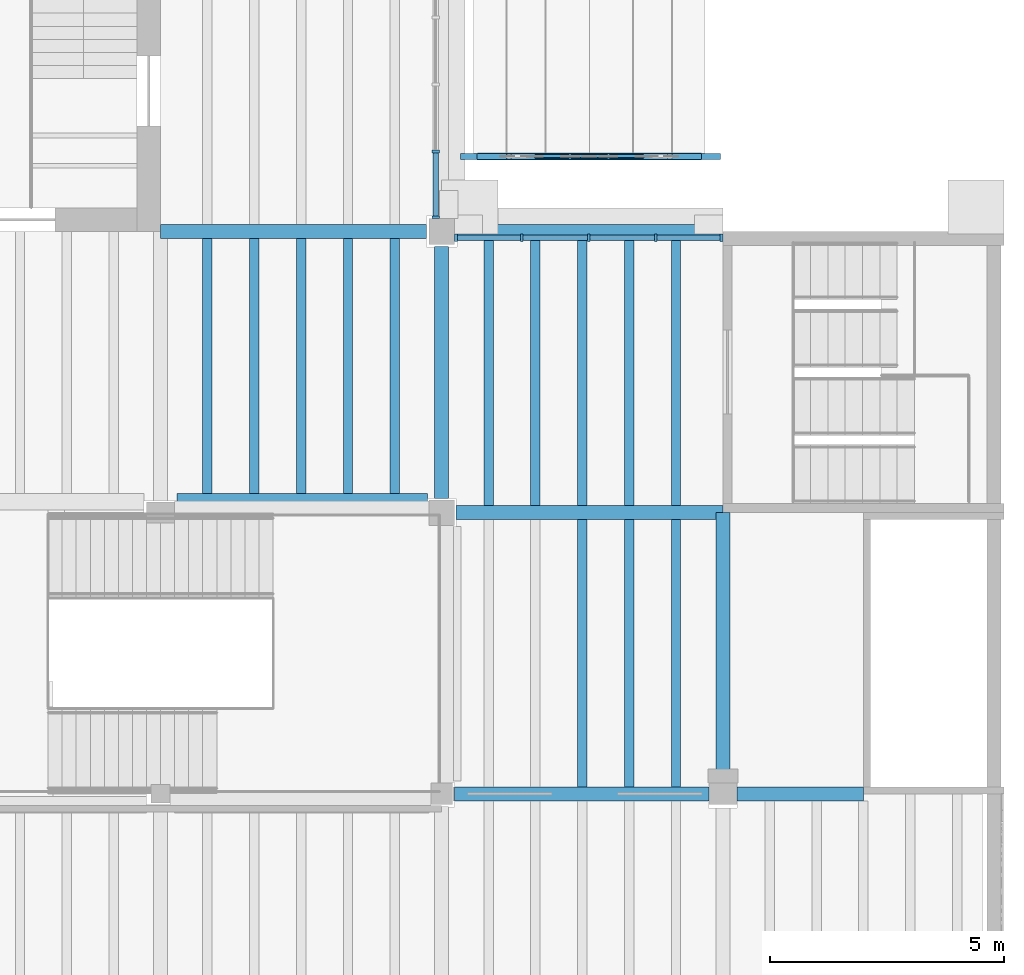
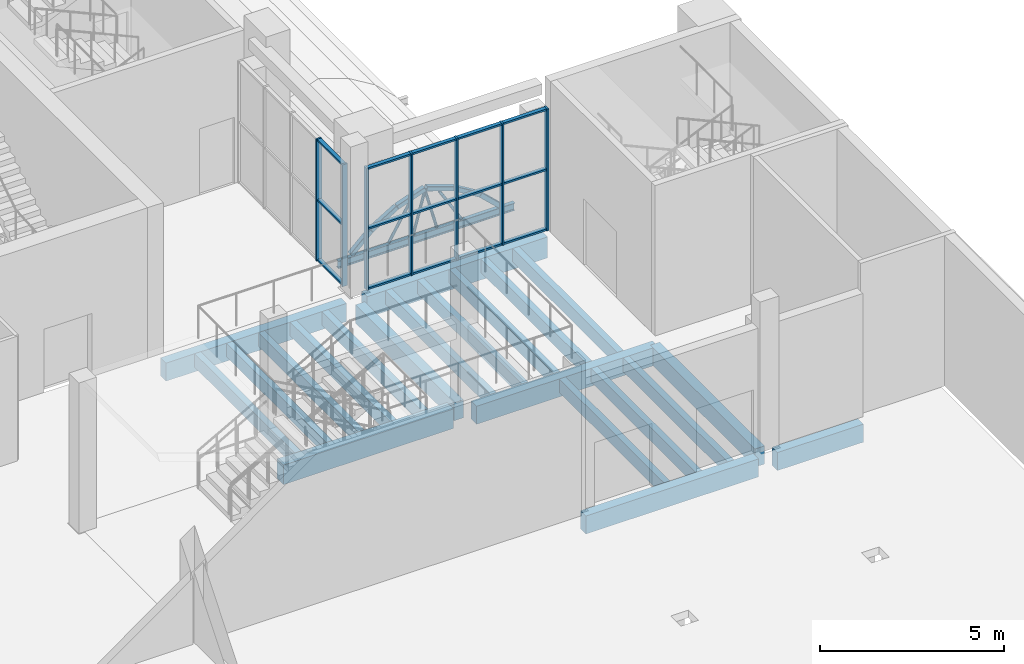
# One storey, part 6 of 80: 28 beams, 26 members, 2 elements without a shape of their own.
"""IFC4 building model written with IfcOpenShell, lengths in metres."""

from ifc_helpers import new_model, si_unit, direction, frame, origin, origin_2d, place, context, subcontext, project, spatial, rectangle, hollow_rectangle, hollow_circle, i_section, extrude, material, material_profile, profile_set, type_object, element, aggregate, save


model = new_model("IFC4")

# Units and contexts
model_context = context("Model", 3, precision=1e-05, world=origin(), true_north=direction((0.0, 1.0)))
body_context = subcontext(model_context, "Body", "Model", "MODEL_VIEW")
ifc_project = project(units=[si_unit("LENGTHUNIT", "METRE"), si_unit("AREAUNIT", "SQUARE_METRE"), si_unit("VOLUMEUNIT", "CUBIC_METRE"), si_unit("PLANEANGLEUNIT", "RADIAN"), si_unit("MASSUNIT", "GRAM", prefix="KILO")], contexts=[model_context])

# Site, building, storey
site_placement = place(None, origin())
site = spatial("IfcSite", under=ifc_project, at=site_placement, CompositionType="ELEMENT")
building_placement = place(site_placement, origin())
building = spatial("IfcBuilding", under=site, at=building_placement, Name="Saffron Lane Theatres", CompositionType="ELEMENT")
storey_placement = place(building_placement, frame((0.0, 0.0, 7.0)))
storey = spatial("IfcBuildingStorey", under=building, at=storey_placement, Name="L01", CompositionType="ELEMENT", Elevation=7.0)

# Curtain wall, members
ifc_material_1 = material(Name="Aluminium", Category="aluminium")
curtain_wall_type_1 = type_object("IfcCurtainWallType", Name="EX-CURTAIN WALL 5720x4050x160", PredefinedType="NOTDEFINED", material=ifc_material_1)
curtain_wall_1_placement = place(storey_placement, origin())
curtain_wall_1 = element("IfcCurtainWall", 1, at=curtain_wall_1_placement, inside=storey, type_object=curtain_wall_type_1, Name="Curtain wall L01 15", PredefinedType="NOTDEFINED")
ifc_material_2 = material(Name="Aluminium", Category="aluminium")
ifc_material_profile_1 = material_profile(ifc_material_2, rectangle(XDim=0.06005859375, YDim=0.159912109375, at=origin_2d()))
ifc_profile_set_1 = profile_set([ifc_material_profile_1], Name="Aluminium")
member_type_1 = type_object("IfcMemberType", Name="EX-CW MULLION 60x160", PredefinedType="MULLION", material=ifc_profile_set_1)
member_1_placement = place(storey_placement, frame((53.8701171875, 31.706298828125, 0.0), z_axis=(0.0, 0.0, 1.0), x_axis=(0.0, -1.0, 0.0)))
member_1 = element("IfcMember", 2, at=member_1_placement, type_object=member_type_1, Name="CW-01-15 mullion 4", PredefinedType="MULLION", context=body_context, shape_type="SweptSolid", body=[
    extrude(rectangle(XDim=0.06005859375, YDim=0.159912109375, at=origin_2d()), origin(), (0.0, 0.0, 1.0), 4.050048828125),
])
member_2_placement = place(storey_placement, frame((53.8701171875, 30.304931640625, 0.0), z_axis=(0.0, 0.0, 1.0), x_axis=(0.0, -1.0, 0.0)))
member_2 = element("IfcMember", 3, at=member_2_placement, type_object=member_type_1, Name="CW-01-15 mullion 5", PredefinedType="MULLION", context=body_context, shape_type="SweptSolid", body=[
    extrude(rectangle(XDim=0.06005859375, YDim=0.159912109375, at=origin_2d()), origin(), (0.0, 0.0, 1.0), 4.050048828125),
])

ifc_material_3 = material(Name="Aluminium", Category="aluminium")
curtain_wall_type_2 = type_object("IfcCurtainWallType", Name="EX-CURTAIN WALL 5730x4050x160", PredefinedType="NOTDEFINED", material=ifc_material_3)
curtain_wall_2_placement = place(storey_placement, origin())
curtain_wall_2 = element("IfcCurtainWall", 4, at=curtain_wall_2_placement, inside=storey, type_object=curtain_wall_type_2, Name="Curtain wall L01 16", PredefinedType="NOTDEFINED")
member_3_placement = place(storey_placement, frame((54.304931640625, 29.8701171875, 0.0), z_axis=(0.0, 0.0, 1.0), x_axis=(1.0, 0.0, 0.0)))
member_3 = element("IfcMember", 5, at=member_3_placement, type_object=member_type_1, Name="CW-01-16 mullion 1", PredefinedType="MULLION", context=body_context, shape_type="SweptSolid", body=[
    extrude(rectangle(XDim=0.06005859375, YDim=0.159912109375, at=origin_2d()), origin(), (0.0, 0.0, 1.0), 4.050048828125),
])
member_4_placement = place(storey_placement, frame((55.706298828125, 29.8701171875, 0.0), z_axis=(0.0, 0.0, 1.0), x_axis=(1.0, 0.0, 0.0)))
member_4 = element("IfcMember", 6, at=member_4_placement, type_object=member_type_1, Name="CW-01-16 mullion 2", PredefinedType="MULLION", context=body_context, shape_type="SweptSolid", body=[
    extrude(rectangle(XDim=0.06005859375, YDim=0.159912109375, at=origin_2d()), origin(), (0.0, 0.0, 1.0), 4.050048828125),
])
member_5_placement = place(storey_placement, frame((57.137451171875, 29.8701171875, 0.0), z_axis=(0.0, 0.0, 1.0), x_axis=(1.0, 0.0, 0.0)))
member_5 = element("IfcMember", 7, at=member_5_placement, type_object=member_type_1, Name="CW-01-16 mullion 3", PredefinedType="MULLION", context=body_context, shape_type="SweptSolid", body=[
    extrude(rectangle(XDim=0.06005859375, YDim=0.159912109375, at=origin_2d()), origin(), (0.0, 0.0, 1.0), 4.050048828125),
])
member_6_placement = place(storey_placement, frame((58.56884765625, 29.8701171875, 0.0), z_axis=(0.0, 0.0, 1.0), x_axis=(1.0, 0.0, 0.0)))
member_6 = element("IfcMember", 8, at=member_6_placement, type_object=member_type_1, Name="CW-01-16 mullion 4", PredefinedType="MULLION", context=body_context, shape_type="SweptSolid", body=[
    extrude(rectangle(XDim=0.06005859375, YDim=0.159912109375, at=origin_2d()), origin(), (0.0, 0.0, 1.0), 4.050048828125),
])
member_7_placement = place(storey_placement, frame((59.969970703125, 29.8701171875, 0.0), z_axis=(0.0, 0.0, 1.0), x_axis=(1.0, 0.0, 0.0)))
member_7 = element("IfcMember", 9, at=member_7_placement, type_object=member_type_1, Name="CW-01-16 mullion 5", PredefinedType="MULLION", context=body_context, shape_type="SweptSolid", body=[
    extrude(rectangle(XDim=0.06005859375, YDim=0.159912109375, at=origin_2d()), origin(), (0.0, 0.0, 1.0), 4.050048828125),
])

# Member
ifc_material_4 = material(Name="Aluminium", Category="aluminium")
ifc_material_profile_2 = material_profile(ifc_material_4, rectangle(XDim=0.1201171875, YDim=0.06005859375, at=origin_2d()))
ifc_profile_set_2 = profile_set([ifc_material_profile_2], Name="Aluminium")
member_type_2 = type_object("IfcMemberType", Name="EX-CW TRANSOM 120x60", PredefinedType="USERDEFINED", material=ifc_profile_set_2)
member_8_placement = place(storey_placement, frame((53.8701171875, 31.67626953125, 0.030029296875), z_axis=(0.0, -1.0, 0.0), x_axis=(1.0, 0.0, 0.0)))
member_8 = element("IfcMember", 10, at=member_8_placement, type_object=member_type_2, Name="CW-01-15 transom 4.1", ObjectType="TRANSOM", PredefinedType="USERDEFINED", context=body_context, shape_type="SweptSolid", body=[
    extrude(rectangle(XDim=0.1201171875, YDim=0.06005859375, at=origin_2d()), origin(), (0.0, 0.0, 1.0), 1.34130859375),
])

member_9_placement = place(storey_placement, frame((53.8701171875, 31.67626953125, 2.02490234375), z_axis=(0.0, -1.0, 0.0), x_axis=(1.0, 0.0, 0.0)))
member_9 = element("IfcMember", 11, at=member_9_placement, type_object=member_type_2, Name="CW-01-15 transom 4.2", ObjectType="TRANSOM", PredefinedType="USERDEFINED", context=body_context, shape_type="SweptSolid", body=[
    extrude(rectangle(XDim=0.1201171875, YDim=0.06005859375, at=origin_2d()), origin(), (0.0, 0.0, 1.0), 1.34130859375),
])

member_10_placement = place(storey_placement, frame((53.8701171875, 31.67626953125, 4.02001953125), z_axis=(0.0, -1.0, 0.0), x_axis=(1.0, 0.0, 0.0)))
member_10 = element("IfcMember", 12, at=member_10_placement, type_object=member_type_2, Name="CW-01-15 transom 4.3", ObjectType="TRANSOM", PredefinedType="USERDEFINED", context=body_context, shape_type="SweptSolid", body=[
    extrude(rectangle(XDim=0.1201171875, YDim=0.06005859375, at=origin_2d()), origin(), (0.0, 0.0, 1.0), 1.34130859375),
])

aggregate(curtain_wall_1, [member_1, member_2, member_8, member_9, member_10])

member_11_placement = place(storey_placement, frame((54.3349609375, 29.8701171875, 0.030029296875), z_axis=(1.0, 0.0, 0.0), x_axis=(0.0, 1.0, 0.0)))
member_11 = element("IfcMember", 13, at=member_11_placement, type_object=member_type_2, Name="CW-01-16 transom 1.1", ObjectType="TRANSOM", PredefinedType="USERDEFINED", context=body_context, shape_type="SweptSolid", body=[
    extrude(rectangle(XDim=0.1201171875, YDim=0.06005859375, at=origin_2d()), origin(), (0.0, 0.0, 1.0), 1.34130859375),
])

member_12_placement = place(storey_placement, frame((54.3349609375, 29.8701171875, 2.02490234375), z_axis=(1.0, 0.0, 0.0), x_axis=(0.0, 1.0, 0.0)))
member_12 = element("IfcMember", 14, at=member_12_placement, type_object=member_type_2, Name="CW-01-16 transom 1.2", ObjectType="TRANSOM", PredefinedType="USERDEFINED", context=body_context, shape_type="SweptSolid", body=[
    extrude(rectangle(XDim=0.1201171875, YDim=0.06005859375, at=origin_2d()), origin(), (0.0, 0.0, 1.0), 1.34130859375),
])

member_13_placement = place(storey_placement, frame((54.3349609375, 29.8701171875, 4.02001953125), z_axis=(1.0, 0.0, 0.0), x_axis=(0.0, 1.0, 0.0)))
member_13 = element("IfcMember", 15, at=member_13_placement, type_object=member_type_2, Name="CW-01-16 transom 1.3", ObjectType="TRANSOM", PredefinedType="USERDEFINED", context=body_context, shape_type="SweptSolid", body=[
    extrude(rectangle(XDim=0.1201171875, YDim=0.06005859375, at=origin_2d()), origin(), (0.0, 0.0, 1.0), 1.34130859375),
])

member_14_placement = place(storey_placement, frame((55.736083984375, 29.8701171875, 0.030029296875), z_axis=(1.0, 0.0, 0.0), x_axis=(0.0, 1.0, 0.0)))
member_14 = element("IfcMember", 16, at=member_14_placement, type_object=member_type_2, Name="CW-01-16 transom 2.1", ObjectType="TRANSOM", PredefinedType="USERDEFINED", context=body_context, shape_type="SweptSolid", body=[
    extrude(rectangle(XDim=0.1201171875, YDim=0.06005859375, at=origin_2d()), origin(), (0.0, 0.0, 1.0), 1.371337890625),
])

member_15_placement = place(storey_placement, frame((55.736083984375, 29.8701171875, 2.02490234375), z_axis=(1.0, 0.0, 0.0), x_axis=(0.0, 1.0, 0.0)))
member_15 = element("IfcMember", 17, at=member_15_placement, type_object=member_type_2, Name="CW-01-16 transom 2.2", ObjectType="TRANSOM", PredefinedType="USERDEFINED", context=body_context, shape_type="SweptSolid", body=[
    extrude(rectangle(XDim=0.1201171875, YDim=0.06005859375, at=origin_2d()), origin(), (0.0, 0.0, 1.0), 1.371337890625),
])

member_16_placement = place(storey_placement, frame((55.736083984375, 29.8701171875, 4.02001953125), z_axis=(1.0, 0.0, 0.0), x_axis=(0.0, 1.0, 0.0)))
member_16 = element("IfcMember", 18, at=member_16_placement, type_object=member_type_2, Name="CW-01-16 transom 2.3", ObjectType="TRANSOM", PredefinedType="USERDEFINED", context=body_context, shape_type="SweptSolid", body=[
    extrude(rectangle(XDim=0.1201171875, YDim=0.06005859375, at=origin_2d()), origin(), (0.0, 0.0, 1.0), 1.371337890625),
])

member_17_placement = place(storey_placement, frame((57.16748046875, 29.8701171875, 0.030029296875), z_axis=(1.0, 0.0, 0.0), x_axis=(0.0, 1.0, 0.0)))
member_17 = element("IfcMember", 19, at=member_17_placement, type_object=member_type_2, Name="CW-01-16 transom 3.1", ObjectType="TRANSOM", PredefinedType="USERDEFINED", context=body_context, shape_type="SweptSolid", body=[
    extrude(rectangle(XDim=0.1201171875, YDim=0.06005859375, at=origin_2d()), origin(), (0.0, 0.0, 1.0), 1.371337890625),
])

member_18_placement = place(storey_placement, frame((57.16748046875, 29.8701171875, 2.02490234375), z_axis=(1.0, 0.0, 0.0), x_axis=(0.0, 1.0, 0.0)))
member_18 = element("IfcMember", 20, at=member_18_placement, type_object=member_type_2, Name="CW-01-16 transom 3.2", ObjectType="TRANSOM", PredefinedType="USERDEFINED", context=body_context, shape_type="SweptSolid", body=[
    extrude(rectangle(XDim=0.1201171875, YDim=0.06005859375, at=origin_2d()), origin(), (0.0, 0.0, 1.0), 1.371337890625),
])

member_19_placement = place(storey_placement, frame((57.16748046875, 29.8701171875, 4.02001953125), z_axis=(1.0, 0.0, 0.0), x_axis=(0.0, 1.0, 0.0)))
member_19 = element("IfcMember", 21, at=member_19_placement, type_object=member_type_2, Name="CW-01-16 transom 3.3", ObjectType="TRANSOM", PredefinedType="USERDEFINED", context=body_context, shape_type="SweptSolid", body=[
    extrude(rectangle(XDim=0.1201171875, YDim=0.06005859375, at=origin_2d()), origin(), (0.0, 0.0, 1.0), 1.371337890625),
])

member_20_placement = place(storey_placement, frame((58.5986328125, 29.8701171875, 0.030029296875), z_axis=(1.0, 0.0, 0.0), x_axis=(0.0, 1.0, 0.0)))
member_20 = element("IfcMember", 22, at=member_20_placement, type_object=member_type_2, Name="CW-01-16 transom 4.1", ObjectType="TRANSOM", PredefinedType="USERDEFINED", context=body_context, shape_type="SweptSolid", body=[
    extrude(rectangle(XDim=0.1201171875, YDim=0.06005859375, at=origin_2d()), origin(), (0.0, 0.0, 1.0), 1.34130859375),
])

member_21_placement = place(storey_placement, frame((58.5986328125, 29.8701171875, 2.02490234375), z_axis=(1.0, 0.0, 0.0), x_axis=(0.0, 1.0, 0.0)))
member_21 = element("IfcMember", 23, at=member_21_placement, type_object=member_type_2, Name="CW-01-16 transom 4.2", ObjectType="TRANSOM", PredefinedType="USERDEFINED", context=body_context, shape_type="SweptSolid", body=[
    extrude(rectangle(XDim=0.1201171875, YDim=0.06005859375, at=origin_2d()), origin(), (0.0, 0.0, 1.0), 1.34130859375),
])

member_22_placement = place(storey_placement, frame((58.5986328125, 29.8701171875, 4.02001953125), z_axis=(1.0, 0.0, 0.0), x_axis=(0.0, 1.0, 0.0)))
member_22 = element("IfcMember", 24, at=member_22_placement, type_object=member_type_2, Name="CW-01-16 transom 4.3", ObjectType="TRANSOM", PredefinedType="USERDEFINED", context=body_context, shape_type="SweptSolid", body=[
    extrude(rectangle(XDim=0.1201171875, YDim=0.06005859375, at=origin_2d()), origin(), (0.0, 0.0, 1.0), 1.34130859375),
])

aggregate(curtain_wall_2, [member_3, member_4, member_5, member_6, member_7, member_11, member_12, member_13, member_14, member_15, member_16, member_17, member_18, member_19, member_20, member_21, member_22])

# Beams
ifc_material_5 = material(Name="Concrete N40 (40 MPa)", Category="concrete")
ifc_material_profile_3 = material_profile(ifc_material_5, rectangle(XDim=0.300048828125, YDim=0.60009765625, at=origin_2d()))
ifc_profile_set_3 = profile_set([ifc_material_profile_3], Name="Concrete N40 (40 MPa)")
beam_type_1 = type_object("IfcBeamType", Name="RC-BEAM 300x600", PredefinedType="BEAM", material=ifc_profile_set_3)
beam_1_placement = place(storey_placement, frame((54.27490234375, 18.0, -0.550048828125), z_axis=(1.0, 0.0, 0.0), x_axis=(0.0, 1.0, 0.0)))
element("IfcBeam", 25, at=beam_1_placement, inside=storey, type_object=beam_type_1, Name="beam-L01-x180-543", PredefinedType="BEAM", context=body_context, shape_type="SweptSolid", body=[
    extrude(rectangle(XDim=0.300048828125, YDim=0.60009765625, at=origin_2d()), origin(), (0.0, 0.0, 1.0), 5.425048828125),
])
beam_2_placement = place(storey_placement, frame((60.300048828125, 18.0, -0.550048828125), z_axis=(1.0, 0.0, 0.0), x_axis=(0.0, 1.0, 0.0)))
element("IfcBeam", 26, at=beam_2_placement, inside=storey, type_object=beam_type_1, Name="beam-L01-x180-603", PredefinedType="BEAM", context=body_context, shape_type="SweptSolid", body=[
    extrude(rectangle(XDim=0.300048828125, YDim=0.60009765625, at=origin_2d()), origin(), (0.0, 0.0, 1.0), 2.699951171875),
])
beam_3_placement = place(storey_placement, frame((54.300048828125, 24.0, -0.550048828125), z_axis=(1.0, 0.0, 0.0), x_axis=(0.0, 1.0, 0.0)))
element("IfcBeam", 27, at=beam_3_placement, inside=storey, type_object=beam_type_1, Name="beam-L01-x240-543", PredefinedType="BEAM", context=body_context, shape_type="SweptSolid", body=[
    extrude(rectangle(XDim=0.300048828125, YDim=0.60009765625, at=origin_2d()), origin(), (0.0, 0.0, 1.0), 5.699951171875),
])
beam_4_placement = place(storey_placement, frame((48.0, 30.0, -0.550048828125), z_axis=(1.0, 0.0, 0.0), x_axis=(0.0, 1.0, 0.0)))
element("IfcBeam", 28, at=beam_4_placement, inside=storey, type_object=beam_type_1, Name="beam-L01-x300-480", PredefinedType="BEAM", context=body_context, shape_type="SweptSolid", body=[
    extrude(rectangle(XDim=0.300048828125, YDim=0.60009765625, at=origin_2d()), origin(), (0.0, 0.0, 1.0), 5.675048828125),
])
beam_5_placement = place(storey_placement, frame((54.0, 24.300048828125, -0.550048828125), z_axis=(0.0, 1.0, 0.0), x_axis=(-1.0, 0.0, 0.0)))
element("IfcBeam", 29, at=beam_5_placement, inside=storey, type_object=beam_type_1, Name="beam-L01-y540-243", PredefinedType="BEAM", context=body_context, shape_type="SweptSolid", body=[
    extrude(rectangle(XDim=0.300048828125, YDim=0.60009765625, at=origin_2d()), origin(), (0.0, 0.0, 1.0), 5.375),
])
beam_6_placement = place(storey_placement, frame((60.0, 18.300048828125, -0.550048828125), z_axis=(0.0, 1.0, 0.0), x_axis=(-1.0, 0.0, 0.0)))
element("IfcBeam", 30, at=beam_6_placement, inside=storey, type_object=beam_type_1, Name="beam-L01-y600-183", PredefinedType="BEAM", context=body_context, shape_type="SweptSolid", body=[
    extrude(rectangle(XDim=0.300048828125, YDim=0.60009765625, at=origin_2d()), origin(), (0.0, 0.0, 1.0), 5.699951171875),
])
ifc_material_6 = material(Name="Concrete N40 (40 MPa)", Category="concrete")
ifc_material_profile_4 = material_profile(ifc_material_6, rectangle(XDim=0.300048828125, YDim=0.699951171875, at=origin_2d()))
ifc_profile_set_4 = profile_set([ifc_material_profile_4], Name="Concrete N40 (40 MPa)")
beam_type_2 = type_object("IfcBeamType", Name="RC-BEAM 300x700", PredefinedType="BEAM", material=ifc_profile_set_4)
beam_7_placement = place(storey_placement, frame((54.324951171875, 30.0, -0.60009765625), z_axis=(1.0, 0.0, 0.0), x_axis=(0.0, 1.0, 0.0)))
element("IfcBeam", 31, at=beam_7_placement, inside=storey, type_object=beam_type_2, Name="beam-L01-x300-543", PredefinedType="BEAM", context=body_context, shape_type="SweptSolid", body=[
    extrude(rectangle(XDim=0.300048828125, YDim=0.699951171875, at=origin_2d()), origin(), (0.0, 0.0, 1.0), 5.675048828125),
])
ifc_material_7 = material(Name="Concrete N40 (40 MPa)", Category="concrete")
ifc_material_profile_5 = material_profile(ifc_material_7, rectangle(XDim=0.35009765625, YDim=0.64990234375, at=origin_2d()))
ifc_profile_set_5 = profile_set([ifc_material_profile_5], Name="Concrete N40 (40 MPa)")
beam_type_3 = type_object("IfcBeamType", Name="RC-BEAM 350x650", PredefinedType="BEAM", material=ifc_profile_set_5)
beam_8_placement = place(storey_placement, frame((48.35009765625, 24.235107421875, -0.574951171875), z_axis=(1.0, 0.0, 0.0), x_axis=(0.0, 1.0, 0.0)))
element("IfcBeam", 32, at=beam_8_placement, inside=storey, type_object=beam_type_3, Name="beam-L01-x240-484", PredefinedType="BEAM", context=body_context, shape_type="SweptSolid", body=[
    extrude(rectangle(XDim=0.35009765625, YDim=0.64990234375, at=origin_2d()), origin(), (0.0, 0.0, 1.0), 5.349853515625),
])
ifc_material_8 = material(Name="Concrete N40 (40 MPa)", Category="concrete")
ifc_material_profile_6 = material_profile(ifc_material_8, rectangle(XDim=0.199951171875, YDim=0.449951171875, at=origin_2d()))
ifc_profile_set_6 = profile_set([ifc_material_profile_6], Name="Concrete N40 (40 MPa)")
beam_type_4 = type_object("IfcBeamType", Name="RC-JOIST 200x450", PredefinedType="JOIST", material=ifc_profile_set_6)
for number, where, z_axis, x_axis, name in (
    (33, (49.0, 24.409912109375, -0.47509765625), (0.0, 1.0, 0.0), (-1.0, 0.0, 0.0), "joist-L01-y4900-244"),
    (34, (50.0, 24.409912109375, -0.47509765625), (0.0, 1.0, 0.0), (-1.0, 0.0, 0.0), "joist-L01-y5000-244"),
    (35, (51.0, 24.409912109375, -0.47509765625), (0.0, 1.0, 0.0), (-1.0, 0.0, 0.0), "joist-L01-y5100-244"),
    (36, (52.0, 24.409912109375, -0.47509765625), (0.0, 1.0, 0.0), (-1.0, 0.0, 0.0), "joist-L01-y5200-244"),
    (37, (53.0, 24.409912109375, -0.47509765625), (0.0, 1.0, 0.0), (-1.0, 0.0, 0.0), "joist-L01-y5300-244"),
):
    element("IfcBeam", number, at=place(storey_placement, frame(where, z_axis=z_axis, x_axis=x_axis)), inside=storey, type_object=beam_type_4, Name=name, PredefinedType="JOIST", context=body_context, shape_type="SweptSolid", body=[
        extrude(rectangle(XDim=0.199951171875, YDim=0.449951171875, at=origin_2d()), origin(), (0.0, 0.0, 1.0), 5.440185546875),
    ])
for number, where, z_axis, x_axis, name in (
    (38, (57.0, 18.14990234375, -0.47509765625), (0.0, 1.0, 0.0), (-1.0, 0.0, 0.0), "joist-L01-y5700-182"),
    (39, (58.0, 18.14990234375, -0.47509765625), (0.0, 1.0, 0.0), (-1.0, 0.0, 0.0), "joist-L01-y5800-182"),
    (40, (59.0, 18.14990234375, -0.47509765625), (0.0, 1.0, 0.0), (-1.0, 0.0, 0.0), "joist-L01-y5900-182"),
    (41, (55.0, 24.14990234375, -0.47509765625), (0.0, 1.0, 0.0), (-1.0, 0.0, 0.0), "joist-L01-y5500-242"),
    (42, (56.0, 24.14990234375, -0.47509765625), (0.0, 1.0, 0.0), (-1.0, 0.0, 0.0), "joist-L01-y5600-242"),
    (43, (57.0, 24.14990234375, -0.47509765625), (0.0, 1.0, 0.0), (-1.0, 0.0, 0.0), "joist-L01-y5700-242"),
    (44, (58.0, 24.14990234375, -0.47509765625), (0.0, 1.0, 0.0), (-1.0, 0.0, 0.0), "joist-L01-y5800-242"),
    (45, (59.0, 24.14990234375, -0.47509765625), (0.0, 1.0, 0.0), (-1.0, 0.0, 0.0), "joist-L01-y5900-242"),
):
    element("IfcBeam", number, at=place(storey_placement, frame(where, z_axis=z_axis, x_axis=x_axis)), inside=storey, type_object=beam_type_4, Name=name, PredefinedType="JOIST", context=body_context, shape_type="SweptSolid", body=[
        extrude(rectangle(XDim=0.199951171875, YDim=0.449951171875, at=origin_2d()), origin(), (0.0, 0.0, 1.0), 5.7001953125),
    ])
ifc_material_9 = material(Name="Steel Grade 350", Category="steel")
ifc_material_profile_7 = material_profile(ifc_material_9, i_section(OverallWidth=0.1240234375, OverallDepth=0.248046875, WebThickness=0.0048828125, FlangeThickness=0.008056640625, FilletRadius=0.011962890625, at=origin_2d()))
ifc_profile_set_7 = profile_set([ifc_material_profile_7], Name="Steel Grade 350")
beam_type_5 = type_object("IfcBeamType", Name="ST-CANOPY BEAM 250UB25.7", PredefinedType="BEAM", material=ifc_profile_set_7)
beam_9_placement = place(storey_placement, frame((54.39990234375, 31.60009765625, -0.25390625), z_axis=(1.0, 0.0, 0.0), x_axis=(0.0, 1.0, 0.0)))
element("IfcBeam", 46, at=beam_9_placement, inside=storey, type_object=beam_type_5, Name="CB1", PredefinedType="BEAM", context=body_context, shape_type="SweptSolid", body=[
    extrude(i_section(OverallWidth=0.1240234375, OverallDepth=0.248046875, WebThickness=0.0048828125, FlangeThickness=0.008056640625, FilletRadius=0.011962890625, at=origin_2d()), origin(), (0.0, 0.0, 1.0), 5.550048828125),
])
ifc_material_10 = material(Name="Steel Grade 350", Category="steel")
ifc_material_profile_8 = material_profile(ifc_material_10, hollow_rectangle(XDim=0.14990234375, YDim=0.14990234375, WallThickness=0.009033203125, InnerFilletRadius=0.00439453125, OuterFilletRadius=0.013427734375, at=origin_2d()))
ifc_profile_set_8 = profile_set([ifc_material_profile_8], Name="Steel Grade 350")
beam_type_6 = type_object("IfcBeamType", Name="ST-PORTAL RIB 150x150x9 SHS", PredefinedType="USERDEFINED", material=ifc_profile_set_8)
beam_10_placement = place(storey_placement, frame((54.807861328125, 31.60009765625, -0.075439453125), z_axis=(0.727908671932, 0.0, 0.685674095563), x_axis=(0.0, 1.0, 0.0)))
element("IfcBeam", 47, at=beam_10_placement, inside=storey, type_object=beam_type_6, Name="PR1A", ObjectType="PORTAL RIB", PredefinedType="USERDEFINED", context=body_context, shape_type="SweptSolid", body=[
    extrude(hollow_rectangle(XDim=0.14990234375, YDim=0.14990234375, WallThickness=0.009033203125, InnerFilletRadius=0.00439453125, OuterFilletRadius=0.013427734375, at=origin_2d()), origin(), (0.0, 0.0, 1.0), 0.861328125),
])
beam_11_placement = place(storey_placement, frame((55.447509765625, 31.60009765625, 0.52490234375), z_axis=(0.85587209681, 0.0, 0.517187542292), x_axis=(0.0, 1.0, 0.0)))
element("IfcBeam", 48, at=beam_11_placement, inside=storey, type_object=beam_type_6, Name="PR1B", ObjectType="PORTAL RIB", PredefinedType="USERDEFINED", context=body_context, shape_type="SweptSolid", body=[
    extrude(hollow_rectangle(XDim=0.14990234375, YDim=0.14990234375, WallThickness=0.009033203125, InnerFilletRadius=0.00439453125, OuterFilletRadius=0.013427734375, at=origin_2d()), origin(), (0.0, 0.0, 1.0), 0.932861328125),
])
beam_12_placement = place(storey_placement, frame((56.26025390625, 31.60009765625, 1.013916015625), z_axis=(0.945625061325, 0.0, 0.325258733001), x_axis=(0.0, 1.0, 0.0)))
element("IfcBeam", 49, at=beam_12_placement, inside=storey, type_object=beam_type_6, Name="PR1C", ObjectType="PORTAL RIB", PredefinedType="USERDEFINED", context=body_context, shape_type="SweptSolid", body=[
    extrude(hollow_rectangle(XDim=0.14990234375, YDim=0.14990234375, WallThickness=0.009033203125, InnerFilletRadius=0.00439453125, OuterFilletRadius=0.013427734375, at=origin_2d()), origin(), (0.0, 0.0, 1.0), 0.9150390625),
])
beam_13_placement = place(storey_placement, frame((57.17431640625, 31.60009765625, 1.3115234375), z_axis=(0.945653278846, 0.0, -0.325176684602), x_axis=(0.0, 1.0, 0.0)))
element("IfcBeam", 50, at=beam_13_placement, inside=storey, type_object=beam_type_6, Name="PR1D", ObjectType="PORTAL RIB", PredefinedType="USERDEFINED", context=body_context, shape_type="SweptSolid", body=[
    extrude(hollow_rectangle(XDim=0.14990234375, YDim=0.14990234375, WallThickness=0.009033203125, InnerFilletRadius=0.00439453125, OuterFilletRadius=0.013427734375, at=origin_2d()), origin(), (0.0, 0.0, 1.0), 0.915283203125),
])
beam_14_placement = place(storey_placement, frame((58.05419921875, 31.60009765625, 1.00732421875), z_axis=(0.85587209681, 0.0, -0.517187542292), x_axis=(0.0, 1.0, 0.0)))
element("IfcBeam", 51, at=beam_14_placement, inside=storey, type_object=beam_type_6, Name="PR1E", ObjectType="PORTAL RIB", PredefinedType="USERDEFINED", context=body_context, shape_type="SweptSolid", body=[
    extrude(hollow_rectangle(XDim=0.14990234375, YDim=0.14990234375, WallThickness=0.009033203125, InnerFilletRadius=0.00439453125, OuterFilletRadius=0.013427734375, at=origin_2d()), origin(), (0.0, 0.0, 1.0), 0.932861328125),
])
beam_15_placement = place(storey_placement, frame((58.865234375, 31.60009765625, 0.51513671875), z_axis=(0.727908671932, 0.0, -0.685674095563), x_axis=(0.0, 1.0, 0.0)))
element("IfcBeam", 52, at=beam_15_placement, inside=storey, type_object=beam_type_6, Name="PR1F", ObjectType="PORTAL RIB", PredefinedType="USERDEFINED", context=body_context, shape_type="SweptSolid", body=[
    extrude(hollow_rectangle(XDim=0.14990234375, YDim=0.14990234375, WallThickness=0.009033203125, InnerFilletRadius=0.00439453125, OuterFilletRadius=0.013427734375, at=origin_2d()), origin(), (0.0, 0.0, 1.0), 0.861328125),
])

# Members
ifc_material_11 = material(Name="Steel Grade 350", Category="steel")
ifc_material_profile_9 = material_profile(ifc_material_11, hollow_circle(Radius=0.04443359375, WallThickness=0.005859375, at=origin_2d()))
ifc_profile_set_9 = profile_set([ifc_material_profile_9], Name="Steel Grade 350")
member_type_3 = type_object("IfcMemberType", Name="ST-VAULT BRACE 88.9x5.9 CHS", PredefinedType="BRACE", material=ifc_profile_set_9)
member_23_placement = place(storey_placement, frame((56.009033203125, 31.60009765625, -0.107177734375), z_axis=(0.512121126852, 0.0, 0.858913238594), x_axis=(0.0, 1.0, 0.0)))
element("IfcMember", 53, at=member_23_placement, inside=storey, type_object=member_type_3, Name="PS1-2", PredefinedType="BRACE", context=body_context, shape_type="SweptSolid", body=[
    extrude(hollow_circle(Radius=0.04443359375, WallThickness=0.005859375, at=origin_2d()), origin(), (0.0, 0.0, 1.0), 1.3466796875),
])
member_24_placement = place(storey_placement, frame((58.291015625, 31.60009765625, -0.107177734375), z_axis=(-0.512254845616, 0.0, 0.858833495587), x_axis=(0.0, -1.0, 0.0)))
element("IfcMember", 54, at=member_24_placement, inside=storey, type_object=member_type_3, Name="PS1-3", PredefinedType="BRACE", context=body_context, shape_type="SweptSolid", body=[
    extrude(hollow_circle(Radius=0.04443359375, WallThickness=0.005859375, at=origin_2d()), origin(), (0.0, 0.0, 1.0), 1.346923828125),
])
for number, where, z_axis, x_axis, name in (
    (55, (56.7802734375, 31.60009765625, -0.118408203125), (0.261642151515, 0.0, 0.96516495199), (0.0, 1.0, 0.0), "PA1-1"),
    (56, (57.519775390625, 31.60009765625, -0.118408203125), (-0.261804519496, 0.0, 0.965120921736), (0.0, -1.0, 0.0), "PA1-2"),
):
    element("IfcMember", number, at=place(storey_placement, frame(where, z_axis=z_axis, x_axis=x_axis)), inside=storey, type_object=member_type_3, Name=name, PredefinedType="BRACE", context=body_context, shape_type="SweptSolid", body=[
        extrude(hollow_circle(Radius=0.04443359375, WallThickness=0.005859375, at=origin_2d()), origin(), (0.0, 0.0, 1.0), 1.400634765625),
    ])

save(model, "model.ifc")
